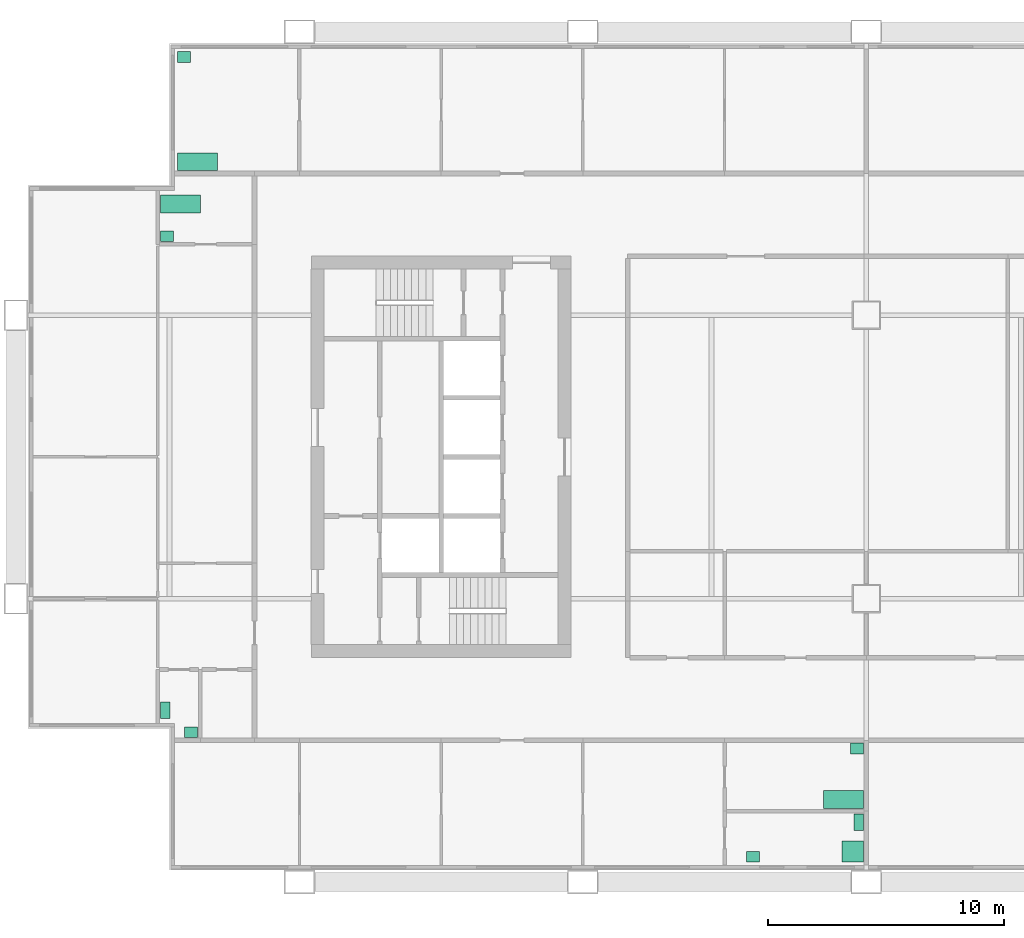
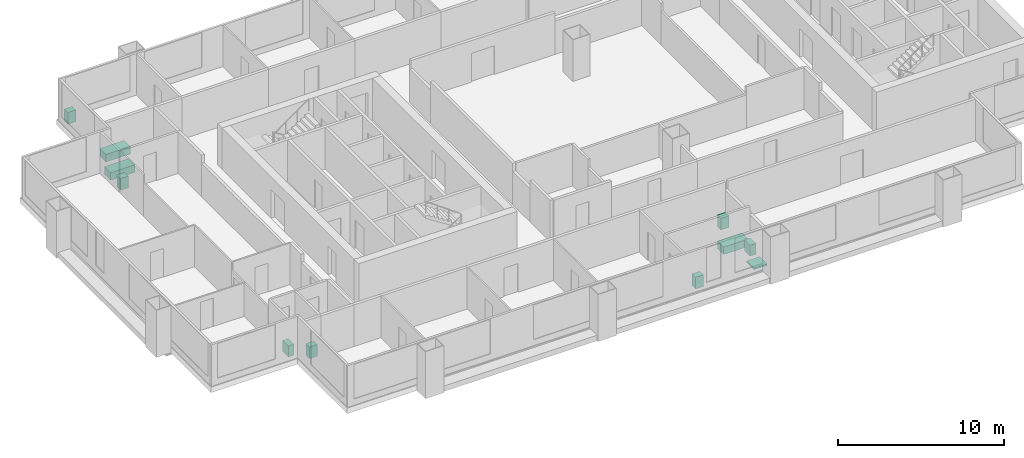
# One storey, part 8 of 8: 11 sanitary terminals.
"""IFC4 building model written with IfcOpenShell, lengths in metres."""

from ifc_helpers import new_model, si_unit, direction, frame, origin, origin_2d, place, context, subcontext, project, spatial, rectangle, extrude, material, type_object, element, save


model = new_model("IFC4")

# Units and contexts
model_context = context("Model", 3, precision=1e-05, world=origin(), true_north=direction((0.0, 1.0)))
body_context = subcontext(model_context, "Body", "Model", "MODEL_VIEW")
ifc_project = project(units=[si_unit("LENGTHUNIT", "METRE"), si_unit("AREAUNIT", "SQUARE_METRE"), si_unit("VOLUMEUNIT", "CUBIC_METRE"), si_unit("PLANEANGLEUNIT", "RADIAN"), si_unit("MASSUNIT", "GRAM", prefix="KILO")], contexts=[model_context])

# Site, building, storey
site_placement = place(None, origin())
site = spatial("IfcSite", under=ifc_project, at=site_placement, CompositionType="ELEMENT")
building_placement = place(site_placement, origin())
building = spatial("IfcBuilding", under=site, at=building_placement, Name="Kitamizu Gate Tower and Museum", CompositionType="ELEMENT")
storey_placement = place(building_placement, frame((0.0, 0.0, 165.14990234375)))
storey = spatial("IfcBuildingStorey", under=building, at=storey_placement, Name="L43", CompositionType="ELEMENT", Elevation=165.14990234375)

# Sanitary terminals
ifc_material_1 = material(Name="Acrylic")
sanitary_terminal_type_1 = type_object("IfcSanitaryTerminalType", Name="Bath", PredefinedType="BATH", material=ifc_material_1)
for number, where, z_axis, x_axis, name in (
    (1, (35.030029296875, 15.4951171875, 0.0009765625), (0.0, 0.0, 1.0), (1.0, 0.0, 0.0), "Bath Bathroom 43A"),
    (2, (7.68994140625, 42.4951171875, 0.0009765625), (0.0, 0.0, 1.0), (1.0, 0.0, 0.0), "Bath Bathroom and WC 43B"),
    (3, (6.969970703125, 40.705078125, 0.0009765625), (0.0, 0.0, 1.0), (1.0, 0.0, 0.0), "Bath Bathroom 43C"),
):
    element("IfcSanitaryTerminal", number, at=place(storey_placement, frame(where, z_axis=z_axis, x_axis=x_axis)), inside=storey, type_object=sanitary_terminal_type_1, Name=name, PredefinedType="BATH", context=body_context, shape_type="SweptSolid", body=[
        extrude(rectangle(XDim=1.699951171875, YDim=0.75, at=origin_2d()), origin(), (0.0, 0.0, 1.0), 0.550048828125),
    ])
ifc_material_2 = material(Name="Acrylic")
sanitary_terminal_type_2 = type_object("IfcSanitaryTerminalType", Name="Shower tray", PredefinedType="SHOWER", material=ifc_material_2)
sanitary_terminal_placement = place(storey_placement, frame((35.429931640625, 13.2900390625, 0.0009765625), z_axis=(0.0, 0.0, 1.0), x_axis=(1.0, 0.0, 0.0)))
element("IfcSanitaryTerminal", 4, at=sanitary_terminal_placement, inside=storey, type_object=sanitary_terminal_type_2, Name="Shower tray En-suite bathroom and WC 43A", PredefinedType="SHOWER", context=body_context, shape_type="SweptSolid", body=[
    extrude(rectangle(XDim=0.89990234375, YDim=0.89990234375, at=origin_2d()), origin(), (0.0, 0.0, 1.0), 0.10009765625),
])
ifc_material_3 = material(Name="Vitreous china")
sanitary_terminal_type_3 = type_object("IfcSanitaryTerminalType", Name="Wash hand basin", PredefinedType="WASHHANDBASIN", material=ifc_material_3)
for number, where, z_axis, x_axis, name in (
    (5, (31.195068359375, 13.06494140625, 0.0009765625), (0.0, 0.0, 1.0), (1.0, 0.0, 0.0), "Wash hand basin En-suite bathroom and WC 43A"),
    (6, (35.60498046875, 17.655029296875, 0.0009765625), (0.0, 0.0, 1.0), (1.0, 0.0, 0.0), "Wash hand basin Bathroom 43A"),
    (7, (7.114990234375, 46.93505859375, 0.0009765625), (0.0, 0.0, 1.0), (1.0, 0.0, 0.0), "Wash hand basin Bathroom and WC 43B"),
    (8, (7.405029296875, 18.344970703125, 0.0009765625), (0.0, 0.0, 1.0), (1.0, 0.0, 0.0), "Wash hand basin WC 43C"),
    (9, (6.39501953125, 39.344970703125, 0.0009765625), (0.0, 0.0, 1.0), (1.0, 0.0, 0.0), "Wash hand basin Bathroom 43C"),
):
    element("IfcSanitaryTerminal", number, at=place(storey_placement, frame(where, z_axis=z_axis, x_axis=x_axis)), inside=storey, type_object=sanitary_terminal_type_3, Name=name, PredefinedType="WASHHANDBASIN", context=body_context, shape_type="SweptSolid", body=[
        extrude(rectangle(XDim=0.550048828125, YDim=0.449951171875, at=origin_2d()), origin(), (0.0, 0.0, 1.0), 0.85009765625),
    ])
ifc_material_4 = material(Name="Vitreous china")
sanitary_terminal_type_4 = type_object("IfcSanitaryTerminalType", Name="Water closet", PredefinedType="TOILETPAN", material=ifc_material_4)
for number, where, z_axis, x_axis, name in (
    (10, (35.679931640625, 14.530029296875, 0.0009765625), (0.0, 0.0, 1.0), (1.0, 0.0, 0.0), "Water closet En-suite bathroom and WC 43A"),
    (11, (6.320068359375, 19.27001953125, 0.0009765625), (0.0, 0.0, 1.0), (1.0, 0.0, 0.0), "Water closet WC 43C"),
):
    element("IfcSanitaryTerminal", number, at=place(storey_placement, frame(where, z_axis=z_axis, x_axis=x_axis)), inside=storey, type_object=sanitary_terminal_type_4, Name=name, PredefinedType="TOILETPAN", context=body_context, shape_type="SweptSolid", body=[
        extrude(rectangle(XDim=0.39990234375, YDim=0.699951171875, at=origin_2d()), origin(), (0.0, 0.0, 1.0), 0.800048828125),
    ])

save(model, "model.ifc")
